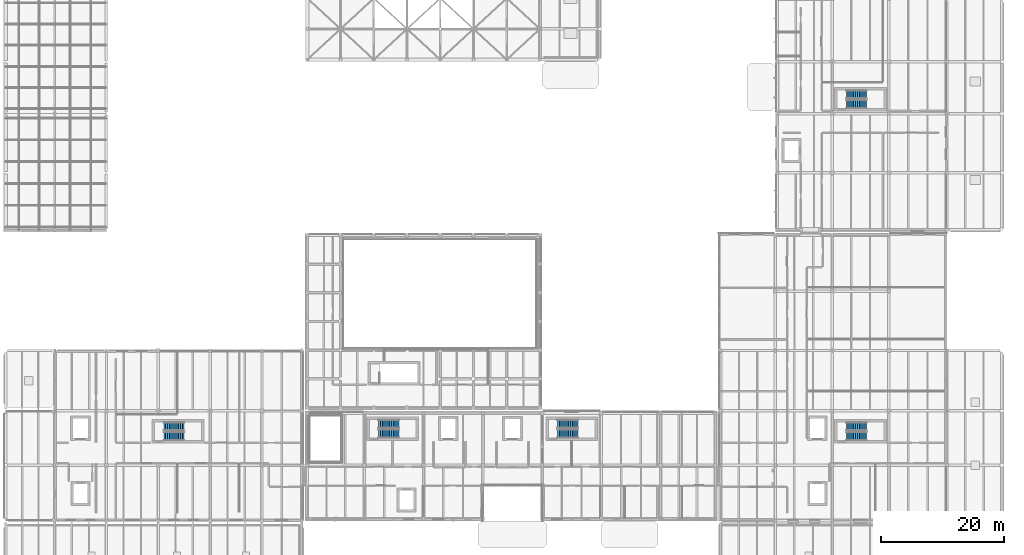
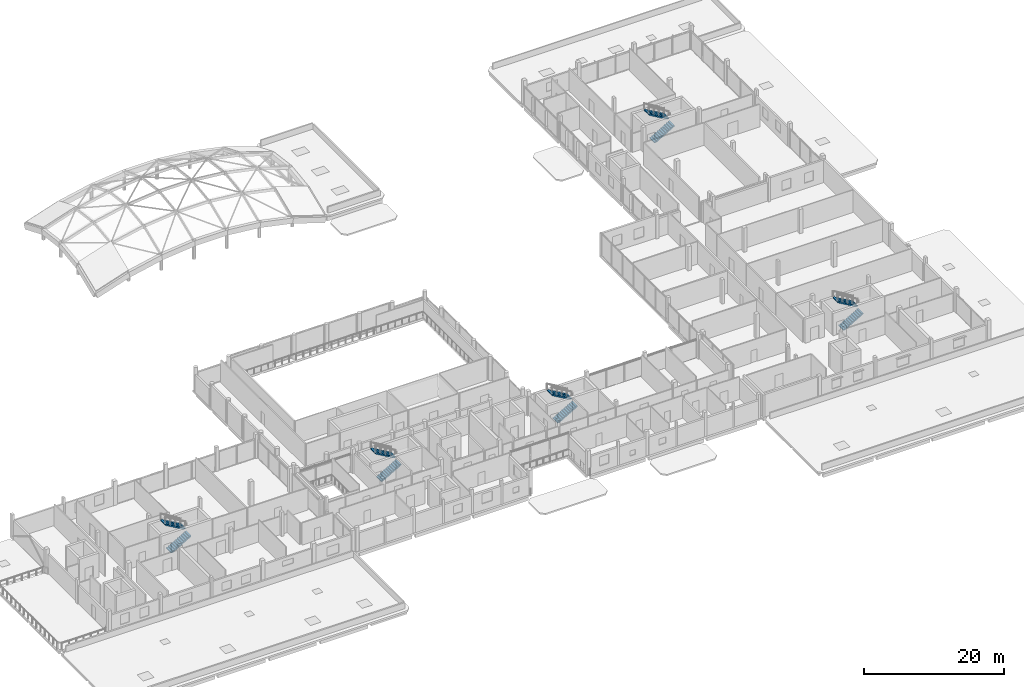
# One storey, part 50 of 66: 10 stair flights, 5 elements without a shape of their own.
"""IFC4 building model written with IfcOpenShell, lengths in metres."""

import ifcopenshell
import ifcopenshell.guid

model = None  # the IFC model being written
_history = None  # IfcOwnerHistory: only IFC2X3 demands one
_inside = {}  # id of a spatial element -> (the spatial element, [elements in it])
_under = {}  # id of a project, library or spatial element -> (it, [spatial elements below it])
_declared = {}  # id of a project -> (the project, [libraries it declares])
_typed = {}  # id of a type object -> (the type object, [elements of that type])
_made_of = {}  # id of a material, layer set ... -> (it, [elements and type objects made of it])


def new_model(schema):
    """Start an empty IFC model of exactly this schema.

    Asked for "IFC4X3", IfcOpenShell would pick the latest addendum, in which some entities
    have other attributes; the version numbers below select the first issue.
    IFC2X3 requires an IfcOwnerHistory on every rooted entity: one is made here for all.
    """
    global model, _history
    if schema == "IFC4X3":
        model = ifcopenshell.file(schema_version=(4, 3, 0, 0))
    else:
        model = ifcopenshell.file(schema=schema)
    _inside.clear()
    _under.clear()
    _declared.clear()
    _typed.clear()
    _made_of.clear()
    _history = None
    if model.schema == "IFC2X3":
        org = make("IfcOrganization", Name="unknown")
        user = make(
            "IfcPersonAndOrganization",
            ThePerson=make("IfcPerson", FamilyName="unknown"),
            TheOrganization=org,
        )
        app = make(
            "IfcApplication",
            ApplicationDeveloper=org,
            Version="unknown",
            ApplicationFullName="unknown",
            ApplicationIdentifier="unknown",
        )
        _history = make(
            "IfcOwnerHistory",
            OwningUser=user,
            OwningApplication=app,
            ChangeAction="ADDED",
            CreationDate=0,
        )
    return model


def make(cls, **values):
    """One entity of the class cls with the attributes given. An attribute that is None is left unset."""
    return model.create_entity(
        cls, **{name: value for name, value in values.items() if value is not None}
    )


def rooted(cls, **values):
    """An entity with a GlobalId (a new one), such as an element, a storey or a relation."""
    return make(cls, GlobalId=ifcopenshell.guid.new(), OwnerHistory=_history, **values)


def si_unit(unit_type, name, prefix=None):
    """IfcSIUnit, for example si_unit("LENGTHUNIT", "METRE", prefix="MILLI")."""
    return make("IfcSIUnit", UnitType=unit_type, Prefix=prefix, Name=name)


def assignment(units):
    """IfcUnitAssignment: the units of a project."""
    return None if units is None else make("IfcUnitAssignment", Units=units)


def point(xyz):
    """IfcCartesianPoint."""
    return None if xyz is None else make("IfcCartesianPoint", Coordinates=xyz)


def direction(xyz):
    """IfcDirection."""
    return None if xyz is None else make("IfcDirection", DirectionRatios=xyz)


def frame(location, z_axis=None, x_axis=None):
    """IfcAxis2Placement3D, a coordinate frame: its origin and axes. An axis left out is left unset."""
    return make(
        "IfcAxis2Placement3D",
        Location=point(location),
        Axis=direction(z_axis),
        RefDirection=direction(x_axis),
    )


def origin():
    """The frame at (0, 0, 0) with its axes left unset."""
    return frame((0.0, 0.0, 0.0))


def place(relative_to, where):
    """IfcLocalPlacement: puts the frame where relative to a parent placement (None: the world)."""
    return make(
        "IfcLocalPlacement", PlacementRelTo=relative_to, RelativePlacement=where
    )


def context(
    kind, dimensions, precision=None, world=None, true_north=None, identifier=None
):
    """IfcGeometricRepresentationContext, for example the 3D "Model" context."""
    return make(
        "IfcGeometricRepresentationContext",
        ContextIdentifier=identifier,
        ContextType=kind,
        CoordinateSpaceDimension=dimensions,
        Precision=precision,
        WorldCoordinateSystem=world,
        TrueNorth=true_north,
    )


def subcontext(parent, identifier, kind, view, scale=None):
    """IfcGeometricRepresentationSubContext, for example "Body" below "Model"."""
    return make(
        "IfcGeometricRepresentationSubContext",
        ContextIdentifier=identifier,
        ContextType=kind,
        ParentContext=parent,
        TargetScale=scale,
        TargetView=view,
    )


def project(units=None, contexts=None):
    """IfcProject with its units and contexts."""
    return rooted(
        "IfcProject",
        Name="project",
        RepresentationContexts=contexts,
        UnitsInContext=assignment(units),
    )


def spatial(cls, under=None, at=None, **own):
    """A site, building, storey or space (cls), placed at a placement, below another one or the project."""
    s = rooted(cls, ObjectPlacement=at, **own)
    if under is not None:
        _under.setdefault(under.id(), (under, []))[1].append(s)
    return s


def polyline(points):
    """IfcPolyline through the points."""
    return make("IfcPolyline", Points=[point(p) for p in points])


def outline(outer, holes=None, kind="AREA"):
    """IfcArbitraryClosedProfileDef: a profile drawn as a closed curve; with holes, ...WithVoids."""
    if holes is None:
        return make("IfcArbitraryClosedProfileDef", ProfileType=kind, OuterCurve=outer)
    return make(
        "IfcArbitraryProfileDefWithVoids",
        ProfileType=kind,
        OuterCurve=outer,
        InnerCurves=holes,
    )


def extrude(swept, where, along, depth):
    """IfcExtrudedAreaSolid: the profile swept, set in the frame where, extruded along a direction by depth."""
    return make(
        "IfcExtrudedAreaSolid",
        SweptArea=swept,
        Position=where,
        ExtrudedDirection=direction(along),
        Depth=depth,
    )


def shape(context_of_items, identifier, shape_type, items):
    """IfcShapeRepresentation: the items that make up one representation, for example the "Body"."""
    return make(
        "IfcShapeRepresentation",
        ContextOfItems=context_of_items,
        RepresentationIdentifier=identifier,
        RepresentationType=shape_type,
        Items=items,
    )


def material(Name=None, Category=None):
    """IfcMaterial."""
    return make("IfcMaterial", Name=Name, Category=Category)


def made_of(thing, what):
    """Note that an element or type object is made of a material, layer set ...; save() writes the relation."""
    if what is not None:
        _made_of.setdefault(what.id(), (what, []))[1].append(thing)
    return thing


def type_object(cls, material=None, **own):
    """A type object (cls), such as IfcWallType, which elements share."""
    return made_of(rooted(cls, **own), material)


def element(
    cls,
    number,
    at=None,
    inside=None,
    cuts=None,
    type_object=None,
    material=None,
    context=None,
    identifier="Body",
    shape_type=None,
    held_by="IfcProductDefinitionShape",
    body=None,
    shapes=None,
    **own,
):
    """One element of the class cls, such as IfcWall. Its Tag is "e" and its number.

    at: its placement. inside: the storey or other place that contains it. cuts: it is an
    opening in that element (IfcRelVoidsElement). A single representation is given by context,
    identifier, shape_type and body (its items); several are given by shapes. held_by: the class
    of the entity that holds the representations. save() writes the other relations.
    """
    e = rooted(cls, Tag="e%d" % number, ObjectPlacement=at, **own)
    if body is not None:
        shapes = [shape(context, identifier, shape_type, body)]
    if shapes is not None:
        e.Representation = make(held_by, Representations=shapes)
    if inside is not None:
        _inside.setdefault(inside.id(), (inside, []))[1].append(e)
    if cuts is not None:
        rooted(
            "IfcRelVoidsElement", RelatingBuildingElement=cuts, RelatedOpeningElement=e
        )
    if type_object is not None:
        _typed.setdefault(type_object.id(), (type_object, []))[1].append(e)
    return made_of(e, material)


def aggregate(whole, parts):
    """IfcRelAggregates: a whole, such as a stair, and the parts it consists of."""
    return rooted("IfcRelAggregates", RelatingObject=whole, RelatedObjects=parts)


def save(model, path):
    """Write the relations noted so far, then the file.

    IfcRelAggregates (storeys below a building ...), IfcRelContainedInSpatialStructure (elements
    in a storey), IfcRelDefinesByType, IfcRelAssociatesMaterial and IfcRelDeclares: one each for
    every whole, place, type object, material and project.
    """
    for whole, parts in _under.values():
        aggregate(whole, parts)
    for where, things in _inside.values():
        rooted(
            "IfcRelContainedInSpatialStructure",
            RelatedElements=things,
            RelatingStructure=where,
        )
    for kind, things in _typed.values():
        rooted("IfcRelDefinesByType", RelatedObjects=things, RelatingType=kind)
    for what, things in _made_of.values():
        rooted("IfcRelAssociatesMaterial", RelatedObjects=things, RelatingMaterial=what)
    for by, libraries in _declared.values():
        rooted("IfcRelDeclares", RelatingContext=by, RelatedDefinitions=libraries)
    model.write(path)


model = new_model("IFC4")

# Units and contexts
model_context = context("Model", 3, precision=1e-05, world=origin(), true_north=direction((0.0, 1.0)))
body_context = subcontext(model_context, "Body", "Model", "MODEL_VIEW")
ifc_project = project(units=[si_unit("LENGTHUNIT", "METRE"), si_unit("AREAUNIT", "SQUARE_METRE"), si_unit("VOLUMEUNIT", "CUBIC_METRE"), si_unit("PLANEANGLEUNIT", "RADIAN"), si_unit("MASSUNIT", "GRAM", prefix="KILO")], contexts=[model_context])

# Site, building, storey
site_placement = place(None, origin())
site = spatial("IfcSite", under=ifc_project, at=site_placement, CompositionType="ELEMENT")
building_placement = place(site_placement, origin())
building = spatial("IfcBuilding", under=site, at=building_placement, Name="Birchvale Park Specialist Clinic", CompositionType="ELEMENT")
storey_placement = place(building_placement, frame((0.0, 0.0, 5.39990234375)))
storey = spatial("IfcBuildingStorey", under=building, at=storey_placement, Name="L01", CompositionType="ELEMENT", Elevation=5.39990234375)

# Stair, stair flights
ifc_material = material(Name="Concrete C35/45", Category="concrete")
stair_type = type_object("IfcStairType", Name="ST-H42", PredefinedType="HALF_TURN_STAIR", material=ifc_material)
stair_1_placement = place(storey_placement, origin())
stair_1 = element("IfcStair", 1, at=stair_1_placement, inside=storey, type_object=stair_type, Name="L01 Protected exit stair ST2", PredefinedType="HALF_TURN_STAIR")
stair_flight_type = type_object("IfcStairFlightType", Name="FLT-ST-H42", PredefinedType="STRAIGHT", material=ifc_material)
stair_flight_1_placement = place(storey_placement, frame((28.89990234375, 30.5, 0.0), z_axis=(0.0, 0.0, 1.0), x_axis=(1.0, 0.0, 0.0)))
stair_flight_1 = element("IfcStairFlight", 2, at=stair_flight_1_placement, type_object=stair_flight_type, Name="ST2 flight 1", NumberOfRisers=12, NumberOfTreads=11, PredefinedType="STRAIGHT", RiserHeight=0.175, TreadLength=0.3, context=body_context, shape_type="SweptSolid", body=[
    extrude(outline(polyline([(0.0, 0.0), (0.0, 0.175048828125), (0.300048828125, 0.175048828125), (0.300048828125, 0.35009765625), (0.60009765625, 0.35009765625), (0.60009765625, 0.52490234375), (0.89990234375, 0.52490234375), (0.89990234375, 0.699951171875), (1.199951171875, 0.699951171875), (1.199951171875, 0.875), (1.5, 0.875), (1.5, 1.050048828125), (1.800048828125, 1.050048828125), (1.800048828125, 1.22509765625), (2.10009765625, 1.22509765625), (2.10009765625, 1.39990234375), (2.39990234375, 1.39990234375), (2.39990234375, 1.574951171875), (2.699951171875, 1.574951171875), (2.699951171875, 1.75), (3.0, 1.75), (3.0, 1.925048828125), (3.300048828125, 1.925048828125), (3.300048828125, 2.10009765625), (3.300048828125, 1.739990234375), (0.3173828125, 0.0), (0.0, 0.0)])), frame((0.0, 0.699951171875, 0.0), z_axis=(0.0, -1.0, 0.0), x_axis=(1.0, 0.0, 0.0)), (0.0, 0.0, 1.0), 1.39990234375),
])
stair_flight_2_placement = place(storey_placement, frame((32.199951171875, 32.10009765625, 2.10009765625), z_axis=(0.0, 0.0, 1.0), x_axis=(-1.0, 0.0, 0.0)))
stair_flight_2 = element("IfcStairFlight", 3, at=stair_flight_2_placement, type_object=stair_flight_type, Name="ST2 flight 2", NumberOfRisers=12, NumberOfTreads=11, PredefinedType="STRAIGHT", RiserHeight=0.175, TreadLength=0.3, context=body_context, shape_type="SweptSolid", body=[
    extrude(outline(polyline([(0.0, 0.0), (0.0, 0.175048828125), (0.300048828125, 0.175048828125), (0.300048828125, 0.35009765625), (0.60009765625, 0.35009765625), (0.60009765625, 0.52490234375), (0.89990234375, 0.52490234375), (0.89990234375, 0.699951171875), (1.199951171875, 0.699951171875), (1.199951171875, 0.875), (1.5, 0.875), (1.5, 1.050048828125), (1.800048828125, 1.050048828125), (1.800048828125, 1.22509765625), (2.10009765625, 1.22509765625), (2.10009765625, 1.39990234375), (2.39990234375, 1.39990234375), (2.39990234375, 1.574951171875), (2.699951171875, 1.574951171875), (2.699951171875, 1.75), (3.0, 1.75), (3.0, 1.925048828125), (3.300048828125, 1.925048828125), (3.300048828125, 2.10009765625), (3.300048828125, 1.739990234375), (0.3173828125, 0.0), (0.0, 0.0)])), frame((0.0, 0.699951171875, 0.0), z_axis=(0.0, -1.0, 0.0), x_axis=(1.0, 0.0, 0.0)), (0.0, 0.0, 1.0), 1.39990234375),
])
aggregate(stair_1, [stair_flight_1, stair_flight_2])

stair_2_placement = place(storey_placement, origin())
stair_2 = element("IfcStair", 4, at=stair_2_placement, inside=storey, type_object=stair_type, Name="L01 Protected exit stair ST3", PredefinedType="HALF_TURN_STAIR")
stair_flight_3_placement = place(storey_placement, frame((139.5, 84.300048828125, 0.0), z_axis=(0.0, 0.0, 1.0), x_axis=(1.0, 0.0, 0.0)))
stair_flight_3 = element("IfcStairFlight", 5, at=stair_flight_3_placement, type_object=stair_flight_type, Name="ST3 flight 1", NumberOfRisers=12, NumberOfTreads=11, PredefinedType="STRAIGHT", RiserHeight=0.175, TreadLength=0.3, context=body_context, shape_type="SweptSolid", body=[
    extrude(outline(polyline([(0.0, 0.0), (0.0, 0.175048828125), (0.300048828125, 0.175048828125), (0.300048828125, 0.35009765625), (0.60009765625, 0.35009765625), (0.60009765625, 0.52490234375), (0.89990234375, 0.52490234375), (0.89990234375, 0.699951171875), (1.199951171875, 0.699951171875), (1.199951171875, 0.875), (1.5, 0.875), (1.5, 1.050048828125), (1.800048828125, 1.050048828125), (1.800048828125, 1.22509765625), (2.10009765625, 1.22509765625), (2.10009765625, 1.39990234375), (2.39990234375, 1.39990234375), (2.39990234375, 1.574951171875), (2.699951171875, 1.574951171875), (2.699951171875, 1.75), (3.0, 1.75), (3.0, 1.925048828125), (3.300048828125, 1.925048828125), (3.300048828125, 2.10009765625), (3.300048828125, 1.739990234375), (0.3173828125, 0.0), (0.0, 0.0)])), frame((0.0, 0.699951171875, 0.0), z_axis=(0.0, -1.0, 0.0), x_axis=(1.0, 0.0, 0.0)), (0.0, 0.0, 1.0), 1.39990234375),
])
stair_flight_4_placement = place(storey_placement, frame((142.800048828125, 85.89990234375, 2.10009765625), z_axis=(0.0, 0.0, 1.0), x_axis=(-1.0, 0.0, 0.0)))
stair_flight_4 = element("IfcStairFlight", 6, at=stair_flight_4_placement, type_object=stair_flight_type, Name="ST3 flight 2", NumberOfRisers=12, NumberOfTreads=11, PredefinedType="STRAIGHT", RiserHeight=0.175, TreadLength=0.3, context=body_context, shape_type="SweptSolid", body=[
    extrude(outline(polyline([(0.0, 0.0), (0.0, 0.175048828125), (0.300048828125, 0.175048828125), (0.300048828125, 0.35009765625), (0.60009765625, 0.35009765625), (0.60009765625, 0.52490234375), (0.89990234375, 0.52490234375), (0.89990234375, 0.699951171875), (1.199951171875, 0.699951171875), (1.199951171875, 0.875), (1.5, 0.875), (1.5, 1.050048828125), (1.800048828125, 1.050048828125), (1.800048828125, 1.22509765625), (2.10009765625, 1.22509765625), (2.10009765625, 1.39990234375), (2.39990234375, 1.39990234375), (2.39990234375, 1.574951171875), (2.699951171875, 1.574951171875), (2.699951171875, 1.75), (3.0, 1.75), (3.0, 1.925048828125), (3.300048828125, 1.925048828125), (3.300048828125, 2.10009765625), (3.300048828125, 1.739990234375), (0.3173828125, 0.0), (0.0, 0.0)])), frame((0.0, 0.699951171875, 0.0), z_axis=(0.0, -1.0, 0.0), x_axis=(1.0, 0.0, 0.0)), (0.0, 0.0, 1.0), 1.39990234375),
])
aggregate(stair_2, [stair_flight_3, stair_flight_4])

stair_3_placement = place(storey_placement, origin())
stair_3 = element("IfcStair", 7, at=stair_3_placement, inside=storey, type_object=stair_type, Name="L01 Protected exit stair ST4", PredefinedType="HALF_TURN_STAIR")
stair_flight_5_placement = place(storey_placement, frame((63.699951171875, 30.89990234375, 0.0), z_axis=(0.0, 0.0, 1.0), x_axis=(1.0, 0.0, 0.0)))
stair_flight_5 = element("IfcStairFlight", 8, at=stair_flight_5_placement, type_object=stair_flight_type, Name="ST4 flight 1", NumberOfRisers=12, NumberOfTreads=11, PredefinedType="STRAIGHT", RiserHeight=0.175, TreadLength=0.3, context=body_context, shape_type="SweptSolid", body=[
    extrude(outline(polyline([(0.0, 0.0), (0.0, 0.175048828125), (0.300048828125, 0.175048828125), (0.300048828125, 0.35009765625), (0.60009765625, 0.35009765625), (0.60009765625, 0.52490234375), (0.89990234375, 0.52490234375), (0.89990234375, 0.699951171875), (1.199951171875, 0.699951171875), (1.199951171875, 0.875), (1.5, 0.875), (1.5, 1.050048828125), (1.800048828125, 1.050048828125), (1.800048828125, 1.22509765625), (2.10009765625, 1.22509765625), (2.10009765625, 1.39990234375), (2.39990234375, 1.39990234375), (2.39990234375, 1.574951171875), (2.699951171875, 1.574951171875), (2.699951171875, 1.75), (3.0, 1.75), (3.0, 1.925048828125), (3.300048828125, 1.925048828125), (3.300048828125, 2.10009765625), (3.300048828125, 1.739990234375), (0.3173828125, 0.0), (0.0, 0.0)])), frame((0.0, 0.699951171875, 0.0), z_axis=(0.0, -1.0, 0.0), x_axis=(1.0, 0.0, 0.0)), (0.0, 0.0, 1.0), 1.39990234375),
])
stair_flight_6_placement = place(storey_placement, frame((67.0, 32.5, 2.10009765625), z_axis=(0.0, 0.0, 1.0), x_axis=(-1.0, 0.0, 0.0)))
stair_flight_6 = element("IfcStairFlight", 9, at=stair_flight_6_placement, type_object=stair_flight_type, Name="ST4 flight 2", NumberOfRisers=12, NumberOfTreads=11, PredefinedType="STRAIGHT", RiserHeight=0.175, TreadLength=0.3, context=body_context, shape_type="SweptSolid", body=[
    extrude(outline(polyline([(0.0, 0.0), (0.0, 0.175048828125), (0.300048828125, 0.175048828125), (0.300048828125, 0.35009765625), (0.60009765625, 0.35009765625), (0.60009765625, 0.52490234375), (0.89990234375, 0.52490234375), (0.89990234375, 0.699951171875), (1.199951171875, 0.699951171875), (1.199951171875, 0.875), (1.5, 0.875), (1.5, 1.050048828125), (1.800048828125, 1.050048828125), (1.800048828125, 1.22509765625), (2.10009765625, 1.22509765625), (2.10009765625, 1.39990234375), (2.39990234375, 1.39990234375), (2.39990234375, 1.574951171875), (2.699951171875, 1.574951171875), (2.699951171875, 1.75), (3.0, 1.75), (3.0, 1.925048828125), (3.300048828125, 1.925048828125), (3.300048828125, 2.10009765625), (3.300048828125, 1.739990234375), (0.3173828125, 0.0), (0.0, 0.0)])), frame((0.0, 0.699951171875, 0.0), z_axis=(0.0, -1.0, 0.0), x_axis=(1.0, 0.0, 0.0)), (0.0, 0.0, 1.0), 1.39990234375),
])
aggregate(stair_3, [stair_flight_5, stair_flight_6])

stair_4_placement = place(storey_placement, origin())
stair_4 = element("IfcStair", 10, at=stair_4_placement, inside=storey, type_object=stair_type, Name="L01 Protected exit stair ST5", PredefinedType="HALF_TURN_STAIR")
stair_flight_7_placement = place(storey_placement, frame((92.699951171875, 30.89990234375, 0.0), z_axis=(0.0, 0.0, 1.0), x_axis=(1.0, 0.0, 0.0)))
stair_flight_7 = element("IfcStairFlight", 11, at=stair_flight_7_placement, type_object=stair_flight_type, Name="ST5 flight 1", NumberOfRisers=12, NumberOfTreads=11, PredefinedType="STRAIGHT", RiserHeight=0.175, TreadLength=0.3, context=body_context, shape_type="SweptSolid", body=[
    extrude(outline(polyline([(0.0, 0.0), (0.0, 0.175048828125), (0.300048828125, 0.175048828125), (0.300048828125, 0.35009765625), (0.60009765625, 0.35009765625), (0.60009765625, 0.52490234375), (0.89990234375, 0.52490234375), (0.89990234375, 0.699951171875), (1.199951171875, 0.699951171875), (1.199951171875, 0.875), (1.5, 0.875), (1.5, 1.050048828125), (1.800048828125, 1.050048828125), (1.800048828125, 1.22509765625), (2.10009765625, 1.22509765625), (2.10009765625, 1.39990234375), (2.39990234375, 1.39990234375), (2.39990234375, 1.574951171875), (2.699951171875, 1.574951171875), (2.699951171875, 1.75), (3.0, 1.75), (3.0, 1.925048828125), (3.300048828125, 1.925048828125), (3.300048828125, 2.10009765625), (3.300048828125, 1.739990234375), (0.3173828125, 0.0), (0.0, 0.0)])), frame((0.0, 0.699951171875, 0.0), z_axis=(0.0, -1.0, 0.0), x_axis=(1.0, 0.0, 0.0)), (0.0, 0.0, 1.0), 1.39990234375),
])
stair_flight_8_placement = place(storey_placement, frame((96.0, 32.5, 2.10009765625), z_axis=(0.0, 0.0, 1.0), x_axis=(-1.0, 0.0, 0.0)))
stair_flight_8 = element("IfcStairFlight", 12, at=stair_flight_8_placement, type_object=stair_flight_type, Name="ST5 flight 2", NumberOfRisers=12, NumberOfTreads=11, PredefinedType="STRAIGHT", RiserHeight=0.175, TreadLength=0.3, context=body_context, shape_type="SweptSolid", body=[
    extrude(outline(polyline([(0.0, 0.0), (0.0, 0.175048828125), (0.300048828125, 0.175048828125), (0.300048828125, 0.35009765625), (0.60009765625, 0.35009765625), (0.60009765625, 0.52490234375), (0.89990234375, 0.52490234375), (0.89990234375, 0.699951171875), (1.199951171875, 0.699951171875), (1.199951171875, 0.875), (1.5, 0.875), (1.5, 1.050048828125), (1.800048828125, 1.050048828125), (1.800048828125, 1.22509765625), (2.10009765625, 1.22509765625), (2.10009765625, 1.39990234375), (2.39990234375, 1.39990234375), (2.39990234375, 1.574951171875), (2.699951171875, 1.574951171875), (2.699951171875, 1.75), (3.0, 1.75), (3.0, 1.925048828125), (3.300048828125, 1.925048828125), (3.300048828125, 2.10009765625), (3.300048828125, 1.739990234375), (0.3173828125, 0.0), (0.0, 0.0)])), frame((0.0, 0.699951171875, 0.0), z_axis=(0.0, -1.0, 0.0), x_axis=(1.0, 0.0, 0.0)), (0.0, 0.0, 1.0), 1.39990234375),
])
aggregate(stair_4, [stair_flight_7, stair_flight_8])

stair_5_placement = place(storey_placement, origin())
stair_5 = element("IfcStair", 13, at=stair_5_placement, inside=storey, type_object=stair_type, Name="L01 Protected exit stair ST6", PredefinedType="HALF_TURN_STAIR")
stair_flight_9_placement = place(storey_placement, frame((139.5, 30.5, 0.0), z_axis=(0.0, 0.0, 1.0), x_axis=(1.0, 0.0, 0.0)))
stair_flight_9 = element("IfcStairFlight", 14, at=stair_flight_9_placement, type_object=stair_flight_type, Name="ST6 flight 1", NumberOfRisers=12, NumberOfTreads=11, PredefinedType="STRAIGHT", RiserHeight=0.175, TreadLength=0.3, context=body_context, shape_type="SweptSolid", body=[
    extrude(outline(polyline([(0.0, 0.0), (0.0, 0.175048828125), (0.300048828125, 0.175048828125), (0.300048828125, 0.35009765625), (0.60009765625, 0.35009765625), (0.60009765625, 0.52490234375), (0.89990234375, 0.52490234375), (0.89990234375, 0.699951171875), (1.199951171875, 0.699951171875), (1.199951171875, 0.875), (1.5, 0.875), (1.5, 1.050048828125), (1.800048828125, 1.050048828125), (1.800048828125, 1.22509765625), (2.10009765625, 1.22509765625), (2.10009765625, 1.39990234375), (2.39990234375, 1.39990234375), (2.39990234375, 1.574951171875), (2.699951171875, 1.574951171875), (2.699951171875, 1.75), (3.0, 1.75), (3.0, 1.925048828125), (3.300048828125, 1.925048828125), (3.300048828125, 2.10009765625), (3.300048828125, 1.739990234375), (0.3173828125, 0.0), (0.0, 0.0)])), frame((0.0, 0.699951171875, 0.0), z_axis=(0.0, -1.0, 0.0), x_axis=(1.0, 0.0, 0.0)), (0.0, 0.0, 1.0), 1.39990234375),
])
stair_flight_10_placement = place(storey_placement, frame((142.800048828125, 32.10009765625, 2.10009765625), z_axis=(0.0, 0.0, 1.0), x_axis=(-1.0, 0.0, 0.0)))
stair_flight_10 = element("IfcStairFlight", 15, at=stair_flight_10_placement, type_object=stair_flight_type, Name="ST6 flight 2", NumberOfRisers=12, NumberOfTreads=11, PredefinedType="STRAIGHT", RiserHeight=0.175, TreadLength=0.3, context=body_context, shape_type="SweptSolid", body=[
    extrude(outline(polyline([(0.0, 0.0), (0.0, 0.175048828125), (0.300048828125, 0.175048828125), (0.300048828125, 0.35009765625), (0.60009765625, 0.35009765625), (0.60009765625, 0.52490234375), (0.89990234375, 0.52490234375), (0.89990234375, 0.699951171875), (1.199951171875, 0.699951171875), (1.199951171875, 0.875), (1.5, 0.875), (1.5, 1.050048828125), (1.800048828125, 1.050048828125), (1.800048828125, 1.22509765625), (2.10009765625, 1.22509765625), (2.10009765625, 1.39990234375), (2.39990234375, 1.39990234375), (2.39990234375, 1.574951171875), (2.699951171875, 1.574951171875), (2.699951171875, 1.75), (3.0, 1.75), (3.0, 1.925048828125), (3.300048828125, 1.925048828125), (3.300048828125, 2.10009765625), (3.300048828125, 1.739990234375), (0.3173828125, 0.0), (0.0, 0.0)])), frame((0.0, 0.699951171875, 0.0), z_axis=(0.0, -1.0, 0.0), x_axis=(1.0, 0.0, 0.0)), (0.0, 0.0, 1.0), 1.39990234375),
])
aggregate(stair_5, [stair_flight_9, stair_flight_10])

save(model, "model.ifc")
